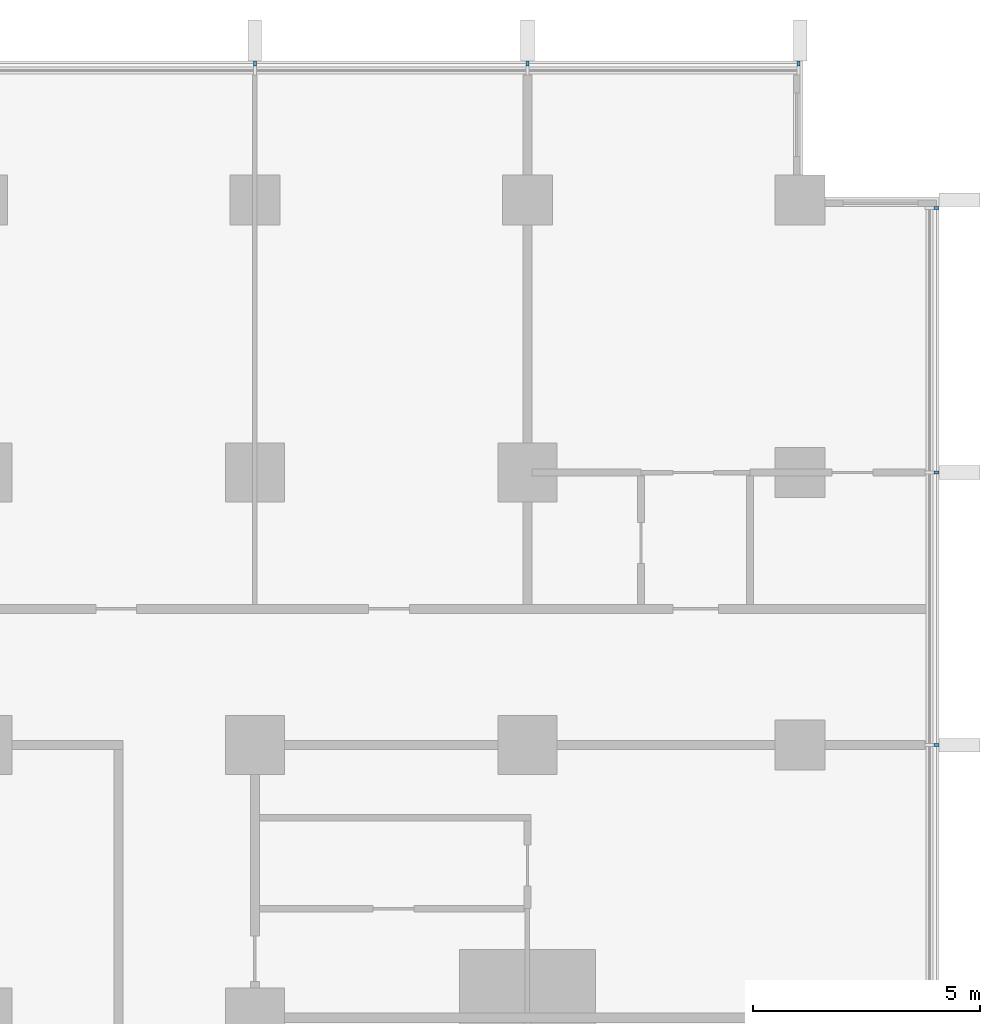
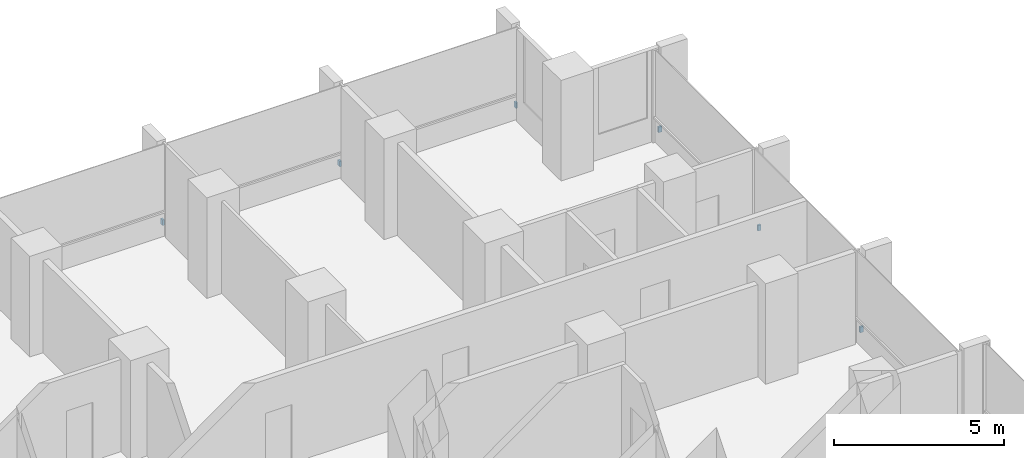
# One storey, part 16 of 17: 6 discrete accessories.
"""IFC4 building model written with IfcOpenShell, lengths in metres."""

import ifcopenshell
import ifcopenshell.guid

model = None  # the IFC model being written
_history = None  # IfcOwnerHistory: only IFC2X3 demands one
_inside = {}  # id of a spatial element -> (the spatial element, [elements in it])
_under = {}  # id of a project, library or spatial element -> (it, [spatial elements below it])
_declared = {}  # id of a project -> (the project, [libraries it declares])
_typed = {}  # id of a type object -> (the type object, [elements of that type])
_made_of = {}  # id of a material, layer set ... -> (it, [elements and type objects made of it])


def new_model(schema):
    """Start an empty IFC model of exactly this schema.

    Asked for "IFC4X3", IfcOpenShell would pick the latest addendum, in which some entities
    have other attributes; the version numbers below select the first issue.
    IFC2X3 requires an IfcOwnerHistory on every rooted entity: one is made here for all.
    """
    global model, _history
    if schema == "IFC4X3":
        model = ifcopenshell.file(schema_version=(4, 3, 0, 0))
    else:
        model = ifcopenshell.file(schema=schema)
    _inside.clear()
    _under.clear()
    _declared.clear()
    _typed.clear()
    _made_of.clear()
    _history = None
    if model.schema == "IFC2X3":
        org = make("IfcOrganization", Name="unknown")
        user = make(
            "IfcPersonAndOrganization",
            ThePerson=make("IfcPerson", FamilyName="unknown"),
            TheOrganization=org,
        )
        app = make(
            "IfcApplication",
            ApplicationDeveloper=org,
            Version="unknown",
            ApplicationFullName="unknown",
            ApplicationIdentifier="unknown",
        )
        _history = make(
            "IfcOwnerHistory",
            OwningUser=user,
            OwningApplication=app,
            ChangeAction="ADDED",
            CreationDate=0,
        )
    return model


def make(cls, **values):
    """One entity of the class cls with the attributes given. An attribute that is None is left unset."""
    return model.create_entity(
        cls, **{name: value for name, value in values.items() if value is not None}
    )


def rooted(cls, **values):
    """An entity with a GlobalId (a new one), such as an element, a storey or a relation."""
    return make(cls, GlobalId=ifcopenshell.guid.new(), OwnerHistory=_history, **values)


def si_unit(unit_type, name, prefix=None):
    """IfcSIUnit, for example si_unit("LENGTHUNIT", "METRE", prefix="MILLI")."""
    return make("IfcSIUnit", UnitType=unit_type, Prefix=prefix, Name=name)


def assignment(units):
    """IfcUnitAssignment: the units of a project."""
    return None if units is None else make("IfcUnitAssignment", Units=units)


def point(xyz):
    """IfcCartesianPoint."""
    return None if xyz is None else make("IfcCartesianPoint", Coordinates=xyz)


def direction(xyz):
    """IfcDirection."""
    return None if xyz is None else make("IfcDirection", DirectionRatios=xyz)


def frame(location, z_axis=None, x_axis=None):
    """IfcAxis2Placement3D, a coordinate frame: its origin and axes. An axis left out is left unset."""
    return make(
        "IfcAxis2Placement3D",
        Location=point(location),
        Axis=direction(z_axis),
        RefDirection=direction(x_axis),
    )


def frame_2d(location, x_axis=None):
    """IfcAxis2Placement2D, a coordinate frame in the plane: its origin and x axis."""
    return make(
        "IfcAxis2Placement2D", Location=point(location), RefDirection=direction(x_axis)
    )


def origin():
    """The frame at (0, 0, 0) with its axes left unset."""
    return frame((0.0, 0.0, 0.0))


def origin_2d():
    """The frame at (0, 0) in the plane with its x axis left unset."""
    return frame_2d((0.0, 0.0))


def place(relative_to, where):
    """IfcLocalPlacement: puts the frame where relative to a parent placement (None: the world)."""
    return make(
        "IfcLocalPlacement", PlacementRelTo=relative_to, RelativePlacement=where
    )


def context(
    kind, dimensions, precision=None, world=None, true_north=None, identifier=None
):
    """IfcGeometricRepresentationContext, for example the 3D "Model" context."""
    return make(
        "IfcGeometricRepresentationContext",
        ContextIdentifier=identifier,
        ContextType=kind,
        CoordinateSpaceDimension=dimensions,
        Precision=precision,
        WorldCoordinateSystem=world,
        TrueNorth=true_north,
    )


def subcontext(parent, identifier, kind, view, scale=None):
    """IfcGeometricRepresentationSubContext, for example "Body" below "Model"."""
    return make(
        "IfcGeometricRepresentationSubContext",
        ContextIdentifier=identifier,
        ContextType=kind,
        ParentContext=parent,
        TargetScale=scale,
        TargetView=view,
    )


def project(units=None, contexts=None):
    """IfcProject with its units and contexts."""
    return rooted(
        "IfcProject",
        Name="project",
        RepresentationContexts=contexts,
        UnitsInContext=assignment(units),
    )


def spatial(cls, under=None, at=None, **own):
    """A site, building, storey or space (cls), placed at a placement, below another one or the project."""
    s = rooted(cls, ObjectPlacement=at, **own)
    if under is not None:
        _under.setdefault(under.id(), (under, []))[1].append(s)
    return s


def profile(cls, at=None, kind="AREA", **sizes):
    """A parametric profile (cls). Its sizes go by their IFC names, for example OverallWidth=200.0."""
    return make(cls, ProfileType=kind, Position=at, **sizes)


def rectangle(**sizes):
    """IfcRectangleProfileDef."""
    return profile("IfcRectangleProfileDef", **sizes)


def extrude(swept, where, along, depth):
    """IfcExtrudedAreaSolid: the profile swept, set in the frame where, extruded along a direction by depth."""
    return make(
        "IfcExtrudedAreaSolid",
        SweptArea=swept,
        Position=where,
        ExtrudedDirection=direction(along),
        Depth=depth,
    )


def shape(context_of_items, identifier, shape_type, items):
    """IfcShapeRepresentation: the items that make up one representation, for example the "Body"."""
    return make(
        "IfcShapeRepresentation",
        ContextOfItems=context_of_items,
        RepresentationIdentifier=identifier,
        RepresentationType=shape_type,
        Items=items,
    )


def material(Name=None, Category=None):
    """IfcMaterial."""
    return make("IfcMaterial", Name=Name, Category=Category)


def made_of(thing, what):
    """Note that an element or type object is made of a material, layer set ...; save() writes the relation."""
    if what is not None:
        _made_of.setdefault(what.id(), (what, []))[1].append(thing)
    return thing


def type_object(cls, material=None, **own):
    """A type object (cls), such as IfcWallType, which elements share."""
    return made_of(rooted(cls, **own), material)


def element(
    cls,
    number,
    at=None,
    inside=None,
    cuts=None,
    type_object=None,
    material=None,
    context=None,
    identifier="Body",
    shape_type=None,
    held_by="IfcProductDefinitionShape",
    body=None,
    shapes=None,
    **own,
):
    """One element of the class cls, such as IfcWall. Its Tag is "e" and its number.

    at: its placement. inside: the storey or other place that contains it. cuts: it is an
    opening in that element (IfcRelVoidsElement). A single representation is given by context,
    identifier, shape_type and body (its items); several are given by shapes. held_by: the class
    of the entity that holds the representations. save() writes the other relations.
    """
    e = rooted(cls, Tag="e%d" % number, ObjectPlacement=at, **own)
    if body is not None:
        shapes = [shape(context, identifier, shape_type, body)]
    if shapes is not None:
        e.Representation = make(held_by, Representations=shapes)
    if inside is not None:
        _inside.setdefault(inside.id(), (inside, []))[1].append(e)
    if cuts is not None:
        rooted(
            "IfcRelVoidsElement", RelatingBuildingElement=cuts, RelatedOpeningElement=e
        )
    if type_object is not None:
        _typed.setdefault(type_object.id(), (type_object, []))[1].append(e)
    return made_of(e, material)


def aggregate(whole, parts):
    """IfcRelAggregates: a whole, such as a stair, and the parts it consists of."""
    return rooted("IfcRelAggregates", RelatingObject=whole, RelatedObjects=parts)


def save(model, path):
    """Write the relations noted so far, then the file.

    IfcRelAggregates (storeys below a building ...), IfcRelContainedInSpatialStructure (elements
    in a storey), IfcRelDefinesByType, IfcRelAssociatesMaterial and IfcRelDeclares: one each for
    every whole, place, type object, material and project.
    """
    for whole, parts in _under.values():
        aggregate(whole, parts)
    for where, things in _inside.values():
        rooted(
            "IfcRelContainedInSpatialStructure",
            RelatedElements=things,
            RelatingStructure=where,
        )
    for kind, things in _typed.values():
        rooted("IfcRelDefinesByType", RelatedObjects=things, RelatingType=kind)
    for what, things in _made_of.values():
        rooted("IfcRelAssociatesMaterial", RelatedObjects=things, RelatingMaterial=what)
    for by, libraries in _declared.values():
        rooted("IfcRelDeclares", RelatingContext=by, RelatedDefinitions=libraries)
    model.write(path)


model = new_model("IFC4")

# Units and contexts
model_context = context("Model", 3, precision=1e-05, world=origin(), true_north=direction((0.0, 1.0)))
body_context = subcontext(model_context, "Body", "Model", "MODEL_VIEW")
ifc_project = project(units=[si_unit("LENGTHUNIT", "METRE"), si_unit("AREAUNIT", "SQUARE_METRE"), si_unit("VOLUMEUNIT", "CUBIC_METRE"), si_unit("PLANEANGLEUNIT", "RADIAN"), si_unit("MASSUNIT", "GRAM", prefix="KILO")], contexts=[model_context])

# Site, building, storey
site_placement = place(None, origin())
site = spatial("IfcSite", under=ifc_project, at=site_placement, CompositionType="ELEMENT")
building_placement = place(site_placement, origin())
building = spatial("IfcBuilding", under=site, at=building_placement, Name="Finial Court Residences", CompositionType="ELEMENT")
storey_placement = place(building_placement, frame((0.0, 0.0, 61.300048828125)))
storey = spatial("IfcBuildingStorey", under=building, at=storey_placement, Name="L14", CompositionType="ELEMENT", Elevation=61.300048828125)

# Discrete accessories
ifc_material = material(Name="Stainless steel 316", Category="steel")
discrete_accessory_type = type_object("IfcDiscreteAccessoryType", Name="Fin bracket, stainless steel 65 x 110 x 200", PredefinedType="BRACKET", material=ifc_material)
for number, where, z_axis, x_axis, name in (
    (1, (10.5, 28.5048828125, 0.2998046875), (0.0, 0.0, 1.0), (1.0, 0.0, 0.0), "E-L14-FIN-N6-BRK"),
    (2, (16.5, 28.5048828125, 0.2998046875), (0.0, 0.0, 1.0), (1.0, 0.0, 0.0), "E-L14-FIN-N7-BRK"),
    (3, (22.467529296875, 28.5048828125, 0.2998046875), (0.0, 0.0, 1.0), (1.0, 0.0, 0.0), "E-L14-FIN-N8-BRK"),
):
    element("IfcDiscreteAccessory", number, at=place(storey_placement, frame(where, z_axis=z_axis, x_axis=x_axis)), inside=storey, type_object=discrete_accessory_type, Name=name, PredefinedType="BRACKET", context=body_context, shape_type="SweptSolid", body=[
        extrude(rectangle(XDim=0.06494140625, YDim=0.110107421875, at=origin_2d()), origin(), (0.0, 0.0, 1.0), 0.199951171875),
    ])
for number, where, z_axis, x_axis, name in (
    (4, (25.5048828125, 13.5, 0.2998046875), (0.0, 0.0, 1.0), (1.0, 0.0, 0.0), "E-L14-FIN-E14-BRK"),
    (5, (25.5048828125, 19.5, 0.2998046875), (0.0, 0.0, 1.0), (1.0, 0.0, 0.0), "E-L14-FIN-E15-BRK"),
    (6, (25.5048828125, 25.3173828125, 0.2998046875), (0.0, 0.0, 1.0), (1.0, 0.0, 0.0), "E-L14-FIN-E16-BRK"),
):
    element("IfcDiscreteAccessory", number, at=place(storey_placement, frame(where, z_axis=z_axis, x_axis=x_axis)), inside=storey, type_object=discrete_accessory_type, Name=name, PredefinedType="BRACKET", context=body_context, shape_type="SweptSolid", body=[
        extrude(rectangle(XDim=0.110107421875, YDim=0.06494140625, at=origin_2d()), origin(), (0.0, 0.0, 1.0), 0.199951171875),
    ])

save(model, "model.ifc")
